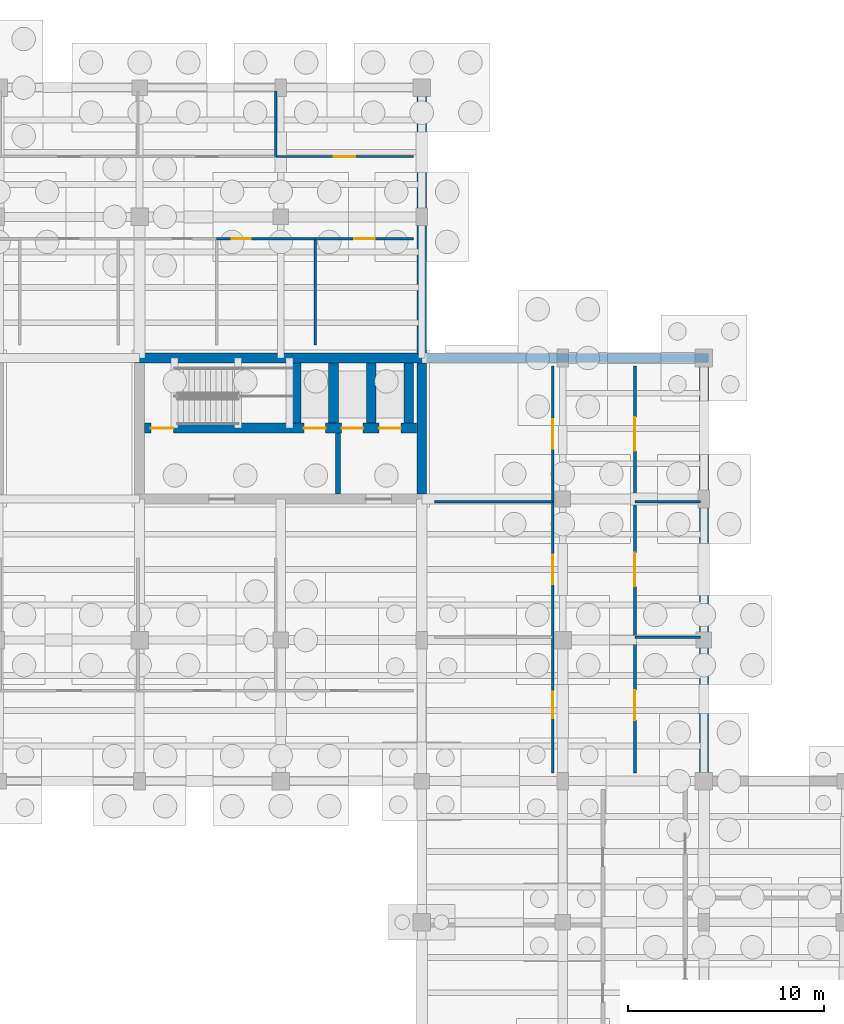
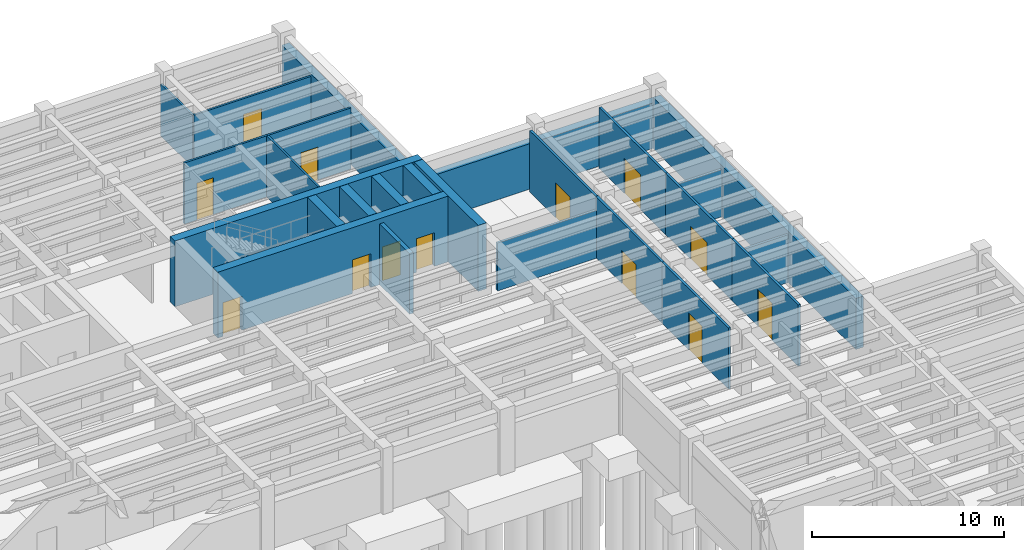
# One storey, part 16 of 22: 25 walls, 13 doors, 13 openings.
"""IFC4 building model written with IfcOpenShell, lengths in metres."""

from ifc_helpers import new_model, si_unit, direction, frame, frame_2d, origin, place, context, subcontext, project, spatial, rectangle, extrude, material, layer, layer_set, type_object, element, fill, save


model = new_model("IFC4")

# Units and contexts
model_context = context("Model", 3, precision=1e-05, world=origin(), true_north=direction((0.0, 1.0)))
body_context = subcontext(model_context, "Body", "Model", "MODEL_VIEW")
ifc_project = project(units=[si_unit("LENGTHUNIT", "METRE"), si_unit("AREAUNIT", "SQUARE_METRE"), si_unit("VOLUMEUNIT", "CUBIC_METRE"), si_unit("PLANEANGLEUNIT", "RADIAN"), si_unit("MASSUNIT", "GRAM", prefix="KILO")], contexts=[model_context])

# Site, building, storey
site_placement = place(None, origin())
site = spatial("IfcSite", under=ifc_project, at=site_placement, CompositionType="ELEMENT")
building_placement = place(site_placement, origin())
building = spatial("IfcBuilding", under=site, at=building_placement, Name="Mithqara Police Headquarters", CompositionType="ELEMENT")
storey_placement = place(building_placement, frame((0.0, 0.0, -8.39990234375)))
storey = spatial("IfcBuildingStorey", under=building, at=storey_placement, Name="B2", CompositionType="ELEMENT", Elevation=-8.39990234375)

# Wall
ifc_material_1 = material(Name="Concrete C40/50", Category="concrete")
ifc_layer_1 = layer(ifc_material_1, 0.239990234375, Name="Concrete C40/50")
ifc_layer_set_1 = layer_set([ifc_layer_1], Name="Concrete C40/50")
wall_type_1 = type_object("IfcWallType", Name="CORE LOBBY WALL 240", PredefinedType="SOLIDWALL", material=ifc_layer_set_1)
wall_1_placement = place(storey_placement, frame((140.330078125, 93.25, 0.0), z_axis=(0.0, 0.0, 1.0), x_axis=(0.0, 1.0, 0.0)))
element("IfcWall", 1, at=wall_1_placement, inside=storey, type_object=wall_type_1, Name="Core C2 Command East Firefighting Lobby Separation Wall B2", PredefinedType="SOLIDWALL", context=body_context, shape_type="SweptSolid", body=[
    extrude(rectangle(XDim=3.1201171875, YDim=0.239990234375, at=frame_2d((1.56005859375, 0.0))), origin(), (0.0, 0.0, 1.0), 3.869873046875),
])

# Wall, opening, door
ifc_material_2 = material(Name="Gypsum acoustic stud partition", Category="gypsum")
ifc_layer_2 = layer(ifc_material_2, 0.1201171875, Name="Gypsum acoustic stud partition")
ifc_layer_set_2 = layer_set([ifc_layer_2], Name="Gypsum acoustic stud partition")
wall_type_2 = type_object("IfcWallType", Name="PART WALL 120", PredefinedType="PARTITIONING", material=ifc_layer_set_2)
wall_2_placement = place(storey_placement, frame((134.134033203125, 106.280029296875, 0.0), z_axis=(0.0, 0.0, 1.0), x_axis=(1.0, 0.0, 0.0)))
wall_2 = element("IfcWall", 2, at=wall_2_placement, inside=storey, type_object=wall_type_2, Name="B2 Corridor Wall Cooling Pump Hall", PredefinedType="PARTITIONING", context=body_context, shape_type="SweptSolid", body=[
    extrude(rectangle(XDim=5.02294921875, YDim=0.1201171875, at=frame_2d((2.511474609375, 0.0))), origin(), (0.0, 0.0, 1.0), 3.89990234375),
])
opening_1_placement = place(wall_2_placement, frame((0.765869140625, 0.0, 0.0)))
opening_1 = element("IfcOpeningElement", 3, at=opening_1_placement, cuts=wall_2, Name="Opening D-06", PredefinedType="OPENING", context=body_context, shape_type="SweptSolid", body=[
    extrude(rectangle(XDim=0.97998046875, YDim=2.35009765625, at=frame_2d((0.489990234375, 1.175048828125))), frame((0.0, 0.070068359375, 0.0), z_axis=(0.0, -1.0, 0.0), x_axis=(1.0, 0.0, 0.0)), (0.0, 0.0, 1.0), 0.14013671875),
])
ifc_material_3 = material(Name="Acoustic solid-core timber leaf", Category="wood")
door_type_1 = type_object("IfcDoorType", Name="INT DOOR 980X2350", OperationType="NOTDEFINED", PredefinedType="DOOR", material=ifc_material_3)
door_1_placement = place(opening_1_placement, frame((0.97998046875, 0.0, 0.0), z_axis=(0.0, 0.0, 1.0), x_axis=(-1.0, 0.0, 0.0)))
door_1 = element("IfcDoor", 4, at=door_1_placement, inside=storey, type_object=door_type_1, Name="Cooling Pump Hall Entry Door", OperationType="SINGLE_SWING_LEFT", OverallHeight=2.35009765625, OverallWidth=0.97998046875, PredefinedType="DOOR", context=body_context, shape_type="SweptSolid", body=[
    extrude(rectangle(XDim=0.97998046875, YDim=2.35009765625, at=frame_2d((0.489990234375, 1.175048828125))), frame((0.0, 0.02490234375, 0.0), z_axis=(0.0, -1.0, 0.0), x_axis=(1.0, 0.0, 0.0)), (0.0, 0.0, 1.0), 0.050048828125),
])
fill(opening_1, door_1)

# Wall
wall_3_placement = place(storey_placement, frame((139.156982421875, 100.85009765625, 0.0), z_axis=(0.0, 0.0, 1.0), x_axis=(0.0, 1.0, 0.0)))
element("IfcWall", 5, at=wall_3_placement, inside=storey, type_object=wall_type_2, Name="B2 Room Partition Cooling Pump Hall", PredefinedType="PARTITIONING", context=body_context, shape_type="SweptSolid", body=[
    extrude(rectangle(XDim=5.429931640625, YDim=0.1201171875, at=frame_2d((2.71484375, 0.0))), origin(), (0.0, 0.0, 1.0), 3.89990234375),
])

# Wall, opening, door
wall_4_placement = place(storey_placement, frame((139.156982421875, 106.280029296875, 0.0), z_axis=(0.0, 0.0, 1.0), x_axis=(1.0, 0.0, 0.0)))
wall_4 = element("IfcWall", 6, at=wall_4_placement, inside=storey, type_object=wall_type_2, Name="B2 Corridor Wall Main LV Switchgear Room", PredefinedType="PARTITIONING", context=body_context, shape_type="SweptSolid", body=[
    extrude(rectangle(XDim=5.02294921875, YDim=0.1201171875, at=frame_2d((2.511474609375, 0.0))), origin(), (0.0, 0.0, 1.0), 3.89990234375),
])
opening_2_placement = place(wall_4_placement, frame((1.991455078125, 0.0, 0.0)))
opening_2 = element("IfcOpeningElement", 7, at=opening_2_placement, cuts=wall_4, Name="Opening D-07", PredefinedType="OPENING", context=body_context, shape_type="SweptSolid", body=[
    extrude(rectangle(XDim=1.0400390625, YDim=2.10009765625, at=frame_2d((0.52001953125, 1.050048828125))), frame((0.0, 0.070068359375, 0.0), z_axis=(0.0, -1.0, 0.0), x_axis=(1.0, 0.0, 0.0)), (0.0, 0.0, 1.0), 0.14013671875),
])
door_type_2 = type_object("IfcDoorType", Name="INT DOOR 1040X2100", OperationType="NOTDEFINED", PredefinedType="DOOR", material=ifc_material_3)
door_2_placement = place(opening_2_placement, frame((1.0400390625, 0.0, 0.0), z_axis=(0.0, 0.0, 1.0), x_axis=(-1.0, 0.0, 0.0)))
door_2 = element("IfcDoor", 8, at=door_2_placement, inside=storey, type_object=door_type_2, Name="Main LV Switchgear Room Entry Door", OperationType="SINGLE_SWING_RIGHT", OverallHeight=2.10009765625, OverallWidth=1.0400390625, PredefinedType="DOOR", context=body_context, shape_type="SweptSolid", body=[
    extrude(rectangle(XDim=1.0400390625, YDim=2.10009765625, at=frame_2d((0.52001953125, 1.050048828125))), frame((0.0, 0.02490234375, 0.0), z_axis=(0.0, -1.0, 0.0), x_axis=(1.0, 0.0, 0.0)), (0.0, 0.0, 1.0), 0.050048828125),
])
fill(opening_2, door_2)

# Wall
wall_5_placement = place(storey_placement, frame((137.14794921875, 110.47998046875, 0.0), z_axis=(0.0, 0.0, 1.0), x_axis=(0.0, 1.0, 0.0)))
element("IfcWall", 9, at=wall_5_placement, inside=storey, type_object=wall_type_2, Name="B2 Room Partition Main LV Switchgear Room", PredefinedType="PARTITIONING", context=body_context, shape_type="SweptSolid", body=[
    extrude(rectangle(XDim=3.340087890625, YDim=0.1201171875, at=frame_2d((1.669921875, 0.0))), origin(), (0.0, 0.0, 1.0), 3.2998046875),
])

# Wall, opening, door
wall_6_placement = place(storey_placement, frame((137.14794921875, 110.47998046875, 0.0), z_axis=(0.0, 0.0, 1.0), x_axis=(1.0, 0.0, 0.0)))
wall_6 = element("IfcWall", 10, at=wall_6_placement, inside=storey, type_object=wall_type_2, Name="B2 Corridor Wall Standby UPS Battery Room", PredefinedType="PARTITIONING", context=body_context, shape_type="SweptSolid", body=[
    extrude(rectangle(XDim=7.031982421875, YDim=0.1201171875, at=frame_2d((3.51611328125, 0.0))), origin(), (0.0, 0.0, 1.0), 3.349853515625),
])
opening_3_placement = place(wall_6_placement, frame((2.966064453125, 0.0, 0.0)))
opening_3 = element("IfcOpeningElement", 11, at=opening_3_placement, cuts=wall_6, Name="Opening D-12", PredefinedType="OPENING", context=body_context, shape_type="SweptSolid", body=[
    extrude(rectangle(XDim=1.10009765625, YDim=2.35009765625, at=frame_2d((0.550048828125, 1.175048828125))), frame((0.0, 0.070068359375, 0.0), z_axis=(0.0, -1.0, 0.0), x_axis=(1.0, 0.0, 0.0)), (0.0, 0.0, 1.0), 0.14013671875),
])
door_type_3 = type_object("IfcDoorType", Name="INT DOOR 1100X2350", OperationType="NOTDEFINED", PredefinedType="DOOR", material=ifc_material_3)
door_3_placement = place(opening_3_placement, origin())
door_3 = element("IfcDoor", 12, at=door_3_placement, inside=storey, type_object=door_type_3, Name="Standby UPS Battery Room Entry Door", OperationType="SINGLE_SWING_LEFT", OverallHeight=2.35009765625, OverallWidth=1.10009765625, PredefinedType="DOOR", context=body_context, shape_type="SweptSolid", body=[
    extrude(rectangle(XDim=1.10009765625, YDim=2.35009765625, at=frame_2d((0.550048828125, 1.175048828125))), frame((0.0, 0.02490234375, 0.0), z_axis=(0.0, -1.0, 0.0), x_axis=(1.0, 0.0, 0.0)), (0.0, 0.0, 1.0), 0.050048828125),
])
fill(opening_3, door_3)

ifc_layer_3 = layer(ifc_material_2, 0.139892578125, Name="Gypsum acoustic stud partition")
ifc_layer_set_3 = layer_set([ifc_layer_3], Name="Gypsum acoustic stud partition")
wall_type_3 = type_object("IfcWallType", Name="PART WALL 140", PredefinedType="PARTITIONING", material=ifc_layer_set_3)
wall_7_placement = place(storey_placement, frame((151.280029296875, 79.02001953125, 0.0), z_axis=(0.0, 0.0, 1.0), x_axis=(0.0, 1.0, 0.0)))
wall_7 = element("IfcWall", 13, at=wall_7_placement, inside=storey, type_object=wall_type_3, Name="B2 Corridor Wall Emergency Generator Plant", PredefinedType="PARTITIONING", context=body_context, shape_type="SweptSolid", body=[
    extrude(rectangle(XDim=6.919921875, YDim=0.139892578125, at=frame_2d((3.4599609375, 0.0))), origin(), (0.0, 0.0, 1.0), 3.89990234375),
])
opening_4_placement = place(wall_7_placement, frame((2.780029296875, 0.0, 0.0)))
opening_4 = element("IfcOpeningElement", 14, at=opening_4_placement, cuts=wall_7, Name="Opening D-18", PredefinedType="OPENING", context=body_context, shape_type="SweptSolid", body=[
    extrude(rectangle(XDim=1.360107421875, YDim=2.35009765625, at=frame_2d((0.68017578125, 1.175048828125))), frame((0.0, 0.080078125, 0.0), z_axis=(0.0, -1.0, 0.0), x_axis=(1.0, 0.0, 0.0)), (0.0, 0.0, 1.0), 0.159912109375),
])
ifc_material_4 = material(Name="Bronze anodised aluminium 6063-T6", Category="aluminium")
door_type_4 = type_object("IfcDoorType", Name="INT DOOR 1360X2350", OperationType="NOTDEFINED", PredefinedType="DOOR", material=ifc_material_4)
door_4_placement = place(opening_4_placement, frame((1.360107421875, 0.0, 0.0), z_axis=(0.0, 0.0, 1.0), x_axis=(-1.0, 0.0, 0.0)))
door_4 = element("IfcDoor", 15, at=door_4_placement, inside=storey, type_object=door_type_4, Name="Emergency Generator Plant Entry Door", OperationType="SINGLE_SWING_LEFT", OverallHeight=2.35009765625, OverallWidth=1.360107421875, PredefinedType="DOOR", context=body_context, shape_type="SweptSolid", body=[
    extrude(rectangle(XDim=1.360107421875, YDim=2.35009765625, at=frame_2d((0.68017578125, 1.175048828125))), frame((0.0, 0.02490234375, 0.0), z_axis=(0.0, -1.0, 0.0), x_axis=(1.0, 0.0, 0.0)), (0.0, 0.0, 1.0), 0.050048828125),
])
fill(opening_4, door_4)

wall_8_placement = place(storey_placement, frame((151.280029296875, 85.93994140625, 0.0), z_axis=(0.0, 0.0, 1.0), x_axis=(0.0, 1.0, 0.0)))
wall_8 = element("IfcWall", 16, at=wall_8_placement, inside=storey, type_object=wall_type_3, Name="B2 Corridor Wall Fuel Day-Tank Vault", PredefinedType="PARTITIONING", context=body_context, shape_type="SweptSolid", body=[
    extrude(rectangle(XDim=6.920166015625, YDim=0.139892578125, at=frame_2d((3.4599609375, 0.0))), origin(), (0.0, 0.0, 1.0), 3.89990234375),
])
opening_5_placement = place(wall_8_placement, frame((2.699951171875, 0.0, 0.0)))
opening_5 = element("IfcOpeningElement", 17, at=opening_5_placement, cuts=wall_8, Name="Opening D-19", PredefinedType="OPENING", context=body_context, shape_type="SweptSolid", body=[
    extrude(rectangle(XDim=1.52001953125, YDim=2.10009765625, at=frame_2d((0.760009765625, 1.050048828125))), frame((0.0, 0.080078125, 0.0), z_axis=(0.0, -1.0, 0.0), x_axis=(1.0, 0.0, 0.0)), (0.0, 0.0, 1.0), 0.159912109375),
])
door_type_5 = type_object("IfcDoorType", Name="INT DOOR 1520X2100", OperationType="NOTDEFINED", PredefinedType="DOOR", material=ifc_material_4)
door_5_placement = place(opening_5_placement, frame((1.52001953125, 0.0, 0.0), z_axis=(0.0, 0.0, 1.0), x_axis=(-1.0, 0.0, 0.0)))
door_5 = element("IfcDoor", 18, at=door_5_placement, inside=storey, type_object=door_type_5, Name="Fuel Day-Tank Vault Entry Door", OperationType="DOUBLE_DOOR_SINGLE_SWING", OverallHeight=2.10009765625, OverallWidth=1.52001953125, PredefinedType="DOOR", context=body_context, shape_type="SweptSolid", body=[
    extrude(rectangle(XDim=1.52001953125, YDim=2.10009765625, at=frame_2d((0.760009765625, 1.050048828125))), frame((0.0, 0.02490234375, 0.0), z_axis=(0.0, -1.0, 0.0), x_axis=(1.0, 0.0, 0.0)), (0.0, 0.0, 1.0), 0.050048828125),
])
fill(opening_5, door_5)

# Wall
wall_9_placement = place(storey_placement, frame((145.25, 92.860107421875, 0.0), z_axis=(0.0, 0.0, 1.0), x_axis=(1.0, 0.0, 0.0)))
element("IfcWall", 19, at=wall_9_placement, inside=storey, type_object=wall_type_3, Name="B2 Room Partition Fuel Day-Tank Vault", PredefinedType="PARTITIONING", context=body_context, shape_type="SweptSolid", body=[
    extrude(rectangle(XDim=6.030029296875, YDim=0.139892578125, at=frame_2d((3.01513671875, 0.0))), origin(), (0.0, 0.0, 1.0), 3.0498046875),
])

# Wall, opening, door
wall_10_placement = place(storey_placement, frame((151.280029296875, 92.860107421875, 0.0), z_axis=(0.0, 0.0, 1.0), x_axis=(0.0, 1.0, 0.0)))
wall_10 = element("IfcWall", 20, at=wall_10_placement, inside=storey, type_object=wall_type_3, Name="B2 Corridor Wall Transformer Room", PredefinedType="PARTITIONING", context=body_context, shape_type="SweptSolid", body=[
    extrude(rectangle(XDim=6.919921875, YDim=0.139892578125, at=frame_2d((3.4599609375, 0.0))), origin(), (0.0, 0.0, 1.0), 3.89990234375),
])
opening_6_placement = place(wall_10_placement, frame((2.699951171875, 0.0, 0.0)))
opening_6 = element("IfcOpeningElement", 21, at=opening_6_placement, cuts=wall_10, Name="Opening D-20", PredefinedType="OPENING", context=body_context, shape_type="SweptSolid", body=[
    extrude(rectangle(XDim=1.52001953125, YDim=2.219970703125, at=frame_2d((0.760009765625, 1.10986328125))), frame((0.0, 0.080078125, 0.0), z_axis=(0.0, -1.0, 0.0), x_axis=(1.0, 0.0, 0.0)), (0.0, 0.0, 1.0), 0.159912109375),
])
door_type_6 = type_object("IfcDoorType", Name="INT DOOR 1520X2220", OperationType="NOTDEFINED", PredefinedType="DOOR", material=ifc_material_4)
door_6_placement = place(opening_6_placement, frame((1.52001953125, 0.0, 0.0), z_axis=(0.0, 0.0, 1.0), x_axis=(-1.0, 0.0, 0.0)))
door_6 = element("IfcDoor", 22, at=door_6_placement, inside=storey, type_object=door_type_6, Name="Transformer Room Entry Door", OperationType="DOUBLE_DOOR_SINGLE_SWING", OverallHeight=2.219970703125, OverallWidth=1.52001953125, PredefinedType="DOOR", context=body_context, shape_type="SweptSolid", body=[
    extrude(rectangle(XDim=1.52001953125, YDim=2.219970703125, at=frame_2d((0.760009765625, 1.10986328125))), frame((0.0, 0.02490234375, 0.0), z_axis=(0.0, -1.0, 0.0), x_axis=(1.0, 0.0, 0.0)), (0.0, 0.0, 1.0), 0.050048828125),
])
fill(opening_6, door_6)

wall_11_placement = place(storey_placement, frame((155.47998046875, 79.02001953125, 0.0), z_axis=(0.0, 0.0, 1.0), x_axis=(0.0, 1.0, 0.0)))
wall_11 = element("IfcWall", 23, at=wall_11_placement, inside=storey, type_object=wall_type_3, Name="B2 Corridor Wall Emergency Generator Plant", PredefinedType="PARTITIONING", context=body_context, shape_type="SweptSolid", body=[
    extrude(rectangle(XDim=6.919921875, YDim=0.139892578125, at=frame_2d((3.4599609375, 0.0))), origin(), (0.0, 0.0, 1.0), 3.89990234375),
])
opening_7_placement = place(wall_11_placement, frame((2.699951171875, 0.0, 0.0)))
opening_7 = element("IfcOpeningElement", 24, at=opening_7_placement, cuts=wall_11, Name="Opening D-21", PredefinedType="OPENING", context=body_context, shape_type="SweptSolid", body=[
    extrude(rectangle(XDim=1.52001953125, YDim=2.35009765625, at=frame_2d((0.760009765625, 1.175048828125))), frame((0.0, 0.080078125, 0.0), z_axis=(0.0, -1.0, 0.0), x_axis=(1.0, 0.0, 0.0)), (0.0, 0.0, 1.0), 0.159912109375),
])
door_type_7 = type_object("IfcDoorType", Name="INT DOOR 1520X2350", OperationType="NOTDEFINED", PredefinedType="DOOR", material=ifc_material_4)
door_7_placement = place(opening_7_placement, origin())
door_7 = element("IfcDoor", 25, at=door_7_placement, inside=storey, type_object=door_type_7, Name="Emergency Generator Plant Entry Door", OperationType="DOUBLE_DOOR_SINGLE_SWING", OverallHeight=2.35009765625, OverallWidth=1.52001953125, PredefinedType="DOOR", context=body_context, shape_type="SweptSolid", body=[
    extrude(rectangle(XDim=1.52001953125, YDim=2.35009765625, at=frame_2d((0.760009765625, 1.175048828125))), frame((0.0, 0.02490234375, 0.0), z_axis=(0.0, -1.0, 0.0), x_axis=(1.0, 0.0, 0.0)), (0.0, 0.0, 1.0), 0.050048828125),
])
fill(opening_7, door_7)

# Wall
wall_12_placement = place(storey_placement, frame((155.47998046875, 85.93994140625, 0.0), z_axis=(0.0, 0.0, 1.0), x_axis=(1.0, 0.0, 0.0)))
element("IfcWall", 26, at=wall_12_placement, inside=storey, type_object=wall_type_3, Name="B2 Room Partition Emergency Generator Plant", PredefinedType="PARTITIONING", context=body_context, shape_type="SweptSolid", body=[
    extrude(rectangle(XDim=3.340087890625, YDim=0.139892578125, at=frame_2d((1.669921875, 0.0))), origin(), (0.0, 0.0, 1.0), 3.0498046875),
])

# Wall, opening, door
wall_13_placement = place(storey_placement, frame((155.47998046875, 85.93994140625, 0.0), z_axis=(0.0, 0.0, 1.0), x_axis=(0.0, 1.0, 0.0)))
wall_13 = element("IfcWall", 27, at=wall_13_placement, inside=storey, type_object=wall_type_3, Name="B2 Corridor Wall Fuel Day-Tank Vault", PredefinedType="PARTITIONING", context=body_context, shape_type="SweptSolid", body=[
    extrude(rectangle(XDim=6.920166015625, YDim=0.139892578125, at=frame_2d((3.4599609375, 0.0))), origin(), (0.0, 0.0, 1.0), 3.89990234375),
])
opening_8_placement = place(wall_13_placement, frame((2.60009765625, 0.0, 0.0)))
opening_8 = element("IfcOpeningElement", 28, at=opening_8_placement, cuts=wall_13, Name="Opening D-22", PredefinedType="OPENING", context=body_context, shape_type="SweptSolid", body=[
    extrude(rectangle(XDim=1.719970703125, YDim=2.10009765625, at=frame_2d((0.85986328125, 1.050048828125))), frame((0.0, 0.080078125, 0.0), z_axis=(0.0, -1.0, 0.0), x_axis=(1.0, 0.0, 0.0)), (0.0, 0.0, 1.0), 0.159912109375),
])
door_type_8 = type_object("IfcDoorType", Name="INT DOOR 1720X2100", OperationType="NOTDEFINED", PredefinedType="DOOR", material=ifc_material_4)
door_8_placement = place(opening_8_placement, origin())
door_8 = element("IfcDoor", 29, at=door_8_placement, inside=storey, type_object=door_type_8, Name="Fuel Day-Tank Vault Entry Door", OperationType="DOUBLE_DOOR_SINGLE_SWING", OverallHeight=2.10009765625, OverallWidth=1.719970703125, PredefinedType="DOOR", context=body_context, shape_type="SweptSolid", body=[
    extrude(rectangle(XDim=1.719970703125, YDim=2.10009765625, at=frame_2d((0.85986328125, 1.050048828125))), frame((0.0, 0.02490234375, 0.0), z_axis=(0.0, -1.0, 0.0), x_axis=(1.0, 0.0, 0.0)), (0.0, 0.0, 1.0), 0.050048828125),
])
fill(opening_8, door_8)

# Wall
wall_14_placement = place(storey_placement, frame((155.47998046875, 92.860107421875, 0.0), z_axis=(0.0, 0.0, 1.0), x_axis=(1.0, 0.0, 0.0)))
element("IfcWall", 30, at=wall_14_placement, inside=storey, type_object=wall_type_3, Name="B2 Room Partition Fuel Day-Tank Vault", PredefinedType="PARTITIONING", context=body_context, shape_type="SweptSolid", body=[
    extrude(rectangle(XDim=3.340087890625, YDim=0.139892578125, at=frame_2d((1.669921875, 0.0))), origin(), (0.0, 0.0, 1.0), 3.0),
])

# Wall, opening, door
wall_15_placement = place(storey_placement, frame((155.47998046875, 92.860107421875, 0.0), z_axis=(0.0, 0.0, 1.0), x_axis=(0.0, 1.0, 0.0)))
wall_15 = element("IfcWall", 31, at=wall_15_placement, inside=storey, type_object=wall_type_3, Name="B2 Corridor Wall Transformer Room", PredefinedType="PARTITIONING", context=body_context, shape_type="SweptSolid", body=[
    extrude(rectangle(XDim=6.919921875, YDim=0.139892578125, at=frame_2d((3.4599609375, 0.0))), origin(), (0.0, 0.0, 1.0), 3.89990234375),
])
opening_9_placement = place(wall_15_placement, frame((2.60009765625, 0.0, 0.0)))
opening_9 = element("IfcOpeningElement", 32, at=opening_9_placement, cuts=wall_15, Name="Opening D-23", PredefinedType="OPENING", context=body_context, shape_type="SweptSolid", body=[
    extrude(rectangle(XDim=1.719970703125, YDim=2.219970703125, at=frame_2d((0.85986328125, 1.10986328125))), frame((0.0, 0.080078125, 0.0), z_axis=(0.0, -1.0, 0.0), x_axis=(1.0, 0.0, 0.0)), (0.0, 0.0, 1.0), 0.159912109375),
])
door_type_9 = type_object("IfcDoorType", Name="INT DOOR 1720X2220", OperationType="NOTDEFINED", PredefinedType="DOOR", material=ifc_material_4)
door_9_placement = place(opening_9_placement, origin())
door_9 = element("IfcDoor", 33, at=door_9_placement, inside=storey, type_object=door_type_9, Name="Transformer Room Entry Door", OperationType="DOUBLE_DOOR_SINGLE_SWING", OverallHeight=2.219970703125, OverallWidth=1.719970703125, PredefinedType="DOOR", context=body_context, shape_type="SweptSolid", body=[
    extrude(rectangle(XDim=1.719970703125, YDim=2.219970703125, at=frame_2d((0.85986328125, 1.10986328125))), frame((0.0, 0.02490234375, 0.0), z_axis=(0.0, -1.0, 0.0), x_axis=(1.0, 0.0, 0.0)), (0.0, 0.0, 1.0), 0.050048828125),
])
fill(opening_9, door_9)

# Walls
ifc_layer_4 = layer(ifc_material_1, 0.4599609375, Name="Concrete C40/50")
ifc_layer_set_4 = layer_set([ifc_layer_4], Name="Concrete C40/50")
wall_type_4 = type_object("IfcWallType", Name="RETAINING WALL 460", PredefinedType="USERDEFINED", material=ifc_layer_set_4)
wall_16_placement = place(storey_placement, frame((144.60009765625, 113.780029296875, 0.0), z_axis=(0.0, 0.0, 1.0), x_axis=(0.0, -1.0, 0.0)))
element("IfcWall", 34, at=wall_16_placement, inside=storey, type_object=wall_type_4, Name="B2 Perimeter Retaining Wall 8", ObjectType="RETAININGWALL", PredefinedType="USERDEFINED", context=body_context, shape_type="SweptSolid", body=[
    extrude(rectangle(XDim=13.35009765625, YDim=0.4599609375, at=frame_2d((6.675048828125, 0.0))), origin(), (0.0, 0.0, 1.0), 3.25),
])
wall_17_placement = place(storey_placement, frame((144.830078125, 100.199951171875, 0.0), z_axis=(0.0, 0.0, 1.0), x_axis=(1.0, 0.0, 0.0)))
element("IfcWall", 35, at=wall_17_placement, inside=storey, type_object=wall_type_4, Name="B2 Perimeter Retaining Wall 9", ObjectType="RETAININGWALL", PredefinedType="USERDEFINED", context=body_context, shape_type="SweptSolid", body=[
    extrude(rectangle(XDim=14.39990234375, YDim=0.4599609375, at=frame_2d((7.199951171875, 0.0))), origin(), (0.0, 0.0, 1.0), 2.89990234375),
])
wall_18_placement = place(storey_placement, frame((159.0, 99.97998046875, 0.0), z_axis=(0.0, 0.0, 1.0), x_axis=(0.0, -1.0, 0.0)))
element("IfcWall", 36, at=wall_18_placement, inside=storey, type_object=wall_type_4, Name="B2 Perimeter Retaining Wall 10", ObjectType="RETAININGWALL", PredefinedType="USERDEFINED", context=body_context, shape_type="SweptSolid", body=[
    extrude(rectangle(XDim=21.159912109375, YDim=0.4599609375, at=frame_2d((10.580078125, 0.0))), origin(), (0.0, 0.0, 1.0), 3.25),
])
ifc_material_5 = material(Name="Concrete C50/60", Category="concrete")
ifc_layer_5 = layer(ifc_material_5, 0.5, Name="Concrete C50/60")
ifc_layer_set_5 = layer_set([ifc_layer_5], Name="Concrete C50/60")
wall_type_5 = type_object("IfcWallType", Name="SHEAR WALL 500", PredefinedType="SHEAR", material=ifc_layer_set_5)
wall_19_placement = place(storey_placement, frame((129.949951171875, 100.199951171875, 0.0), z_axis=(0.0, 0.0, 1.0), x_axis=(1.0, 0.0, 0.0)))
element("IfcWall", 37, at=wall_19_placement, inside=storey, type_object=wall_type_5, Name="Core C2 Command East Shear Wall N", PredefinedType="SHEAR", context=body_context, shape_type="SweptSolid", body=[
    extrude(rectangle(XDim=14.900146484375, YDim=0.5, at=frame_2d((7.4501953125, 0.0))), origin(), (0.0, 0.0, 1.0), 4.199951171875),
])
wall_20_placement = place(storey_placement, frame((144.60009765625, 93.260009765625, 0.0), z_axis=(0.0, 0.0, 1.0), x_axis=(0.0, 1.0, 0.0)))
element("IfcWall", 38, at=wall_20_placement, inside=storey, type_object=wall_type_5, Name="Core C2 Command East Shear Wall E", PredefinedType="SHEAR", context=body_context, shape_type="SweptSolid", body=[
    extrude(rectangle(XDim=6.679931640625, YDim=0.5, at=frame_2d((3.33984375, 0.0))), origin(), (0.0, 0.0, 1.0), 4.199951171875),
])

# Wall, openings, doors
wall_21_placement = place(storey_placement, frame((130.4599609375, 96.6201171875, 0.0), z_axis=(0.0, 0.0, 1.0), x_axis=(1.0, 0.0, 0.0)))
wall_21 = element("IfcWall", 39, at=wall_21_placement, inside=storey, type_object=wall_type_5, Name="Core C2 Command East Shear Wall M", PredefinedType="SHEAR", context=body_context, shape_type="SweptSolid", body=[
    extrude(rectangle(XDim=13.880126953125, YDim=0.5, at=frame_2d((6.93994140625, 0.0))), origin(), (0.0, 0.0, 1.0), 4.199951171875),
])
opening_10_placement = place(wall_21_placement, frame((8.1298828125, 0.0, 0.0)))
opening_10 = element("IfcOpeningElement", 40, at=opening_10_placement, cuts=wall_21, Name="Opening LD-01", PredefinedType="OPENING", context=body_context, shape_type="SweptSolid", body=[
    extrude(rectangle(XDim=1.10009765625, YDim=2.14990234375, at=frame_2d((0.550048828125, 1.074951171875))), frame((0.0, 0.260009765625, 0.0), z_axis=(0.0, -1.0, 0.0), x_axis=(1.0, 0.0, 0.0)), (0.0, 0.0, 1.0), 0.52001953125),
])
opening_11_placement = place(wall_21_placement, frame((10.050048828125, 0.0, 0.0)))
opening_11 = element("IfcOpeningElement", 41, at=opening_11_placement, cuts=wall_21, Name="Opening LD-01", PredefinedType="OPENING", context=body_context, shape_type="SweptSolid", body=[
    extrude(rectangle(XDim=1.10009765625, YDim=2.14990234375, at=frame_2d((0.550048828125, 1.074951171875))), frame((0.0, 0.260009765625, 0.0), z_axis=(0.0, -1.0, 0.0), x_axis=(1.0, 0.0, 0.0)), (0.0, 0.0, 1.0), 0.52001953125),
])
opening_12_placement = place(wall_21_placement, frame((11.969970703125, 0.0, 0.0)))
opening_12 = element("IfcOpeningElement", 42, at=opening_12_placement, cuts=wall_21, Name="Opening LD-01", PredefinedType="OPENING", context=body_context, shape_type="SweptSolid", body=[
    extrude(rectangle(XDim=1.10009765625, YDim=2.14990234375, at=frame_2d((0.550048828125, 1.074951171875))), frame((0.0, 0.260009765625, 0.0), z_axis=(0.0, -1.0, 0.0), x_axis=(1.0, 0.0, 0.0)), (0.0, 0.0, 1.0), 0.52001953125),
])
opening_13_placement = place(wall_21_placement, frame((0.31494140625, 0.0, 0.0)))
opening_13 = element("IfcOpeningElement", 43, at=opening_13_placement, cuts=wall_21, Name="Opening FD-01", PredefinedType="OPENING", context=body_context, shape_type="SweptSolid", body=[
    extrude(rectangle(XDim=1.14990234375, YDim=2.14990234375, at=frame_2d((0.574951171875, 1.074951171875))), frame((0.0, 0.260009765625, 0.0), z_axis=(0.0, -1.0, 0.0), x_axis=(1.0, 0.0, 0.0)), (0.0, 0.0, 1.0), 0.52001953125),
])
ifc_material_6 = material(Name="Steel S355JR", Category="steel")
door_type_10 = type_object("IfcDoorType", Name="CORE DOOR STAIR 1150X2150", OperationType="NOTDEFINED", PredefinedType="DOOR", material=ifc_material_6)
door_10_placement = place(opening_13_placement, origin())
door_10 = element("IfcDoor", 44, at=door_10_placement, inside=storey, type_object=door_type_10, Name="Stair ST-02 Fire Door B2", OperationType="SINGLE_SWING_RIGHT", OverallHeight=2.14990234375, OverallWidth=1.14990234375, PredefinedType="DOOR", context=body_context, shape_type="SweptSolid", body=[
    extrude(rectangle(XDim=1.14990234375, YDim=2.14990234375, at=frame_2d((0.574951171875, 1.074951171875))), frame((0.0, 0.02490234375, 0.0), z_axis=(0.0, -1.0, 0.0), x_axis=(1.0, 0.0, 0.0)), (0.0, 0.0, 1.0), 0.050048828125),
])
fill(opening_13, door_10)
door_type_11 = type_object("IfcDoorType", Name="LIFT DOOR 1100X2150", OperationType="DOUBLE_DOOR_SLIDING", PredefinedType="DOOR", material=ifc_material_6)
door_11_placement = place(opening_10_placement, frame((1.10009765625, 0.0, 0.0), z_axis=(0.0, 0.0, 1.0), x_axis=(-1.0, 0.0, 0.0)))
door_11 = element("IfcDoor", 45, at=door_11_placement, inside=storey, type_object=door_type_11, Name="Lift Landing Door FL-02-B2", OperationType="DOUBLE_DOOR_SLIDING", OverallHeight=2.14990234375, OverallWidth=1.10009765625, PredefinedType="DOOR", context=body_context, shape_type="SweptSolid", body=[
    extrude(rectangle(XDim=1.10009765625, YDim=2.14990234375, at=frame_2d((0.550048828125, 1.074951171875))), frame((0.0, 0.02490234375, 0.0), z_axis=(0.0, -1.0, 0.0), x_axis=(1.0, 0.0, 0.0)), (0.0, 0.0, 1.0), 0.050048828125),
])
fill(opening_10, door_11)
door_12_placement = place(opening_11_placement, frame((1.10009765625, 0.0, 0.0), z_axis=(0.0, 0.0, 1.0), x_axis=(-1.0, 0.0, 0.0)))
door_12 = element("IfcDoor", 46, at=door_12_placement, inside=storey, type_object=door_type_11, Name="Lift Landing Door LP-03-B2", OperationType="DOUBLE_DOOR_SLIDING", OverallHeight=2.14990234375, OverallWidth=1.10009765625, PredefinedType="DOOR", context=body_context, shape_type="SweptSolid", body=[
    extrude(rectangle(XDim=1.10009765625, YDim=2.14990234375, at=frame_2d((0.550048828125, 1.074951171875))), frame((0.0, 0.02490234375, 0.0), z_axis=(0.0, -1.0, 0.0), x_axis=(1.0, 0.0, 0.0)), (0.0, 0.0, 1.0), 0.050048828125),
])
fill(opening_11, door_12)
door_13_placement = place(opening_12_placement, frame((1.10009765625, 0.0, 0.0), z_axis=(0.0, 0.0, 1.0), x_axis=(-1.0, 0.0, 0.0)))
door_13 = element("IfcDoor", 47, at=door_13_placement, inside=storey, type_object=door_type_11, Name="Lift Landing Door LP-04-B2", OperationType="DOUBLE_DOOR_SLIDING", OverallHeight=2.14990234375, OverallWidth=1.10009765625, PredefinedType="DOOR", context=body_context, shape_type="SweptSolid", body=[
    extrude(rectangle(XDim=1.10009765625, YDim=2.14990234375, at=frame_2d((0.550048828125, 1.074951171875))), frame((0.0, 0.02490234375, 0.0), z_axis=(0.0, -1.0, 0.0), x_axis=(1.0, 0.0, 0.0)), (0.0, 0.0, 1.0), 0.050048828125),
])
fill(opening_12, door_13)

# Walls
for number, where, z_axis, x_axis, name in (
    (48, (138.179931640625, 96.8798828125, 0.0), (0.0, 0.0, 1.0), (0.0, 1.0, 0.0), "Core C2 Command East Shear Wall X"),
    (49, (140.10009765625, 96.8798828125, 0.0), (0.0, 0.0, 1.0), (0.0, 1.0, 0.0), "Core C2 Command East Shear Wall L1"),
    (50, (142.02001953125, 96.8798828125, 0.0), (0.0, 0.0, 1.0), (0.0, 1.0, 0.0), "Core C2 Command East Shear Wall L2"),
    (51, (143.93994140625, 96.8798828125, 0.0), (0.0, 0.0, 1.0), (0.0, 1.0, 0.0), "Core C2 Command East Shear Wall L3"),
):
    element("IfcWall", number, at=place(storey_placement, frame(where, z_axis=z_axis, x_axis=x_axis)), inside=storey, type_object=wall_type_5, Name=name, PredefinedType="SHEAR", context=body_context, shape_type="SweptSolid", body=[
        extrude(rectangle(XDim=3.06005859375, YDim=0.5, at=frame_2d((1.530029296875, 0.0))), origin(), (0.0, 0.0, 1.0), 4.199951171875),
    ])

save(model, "model.ifc")
